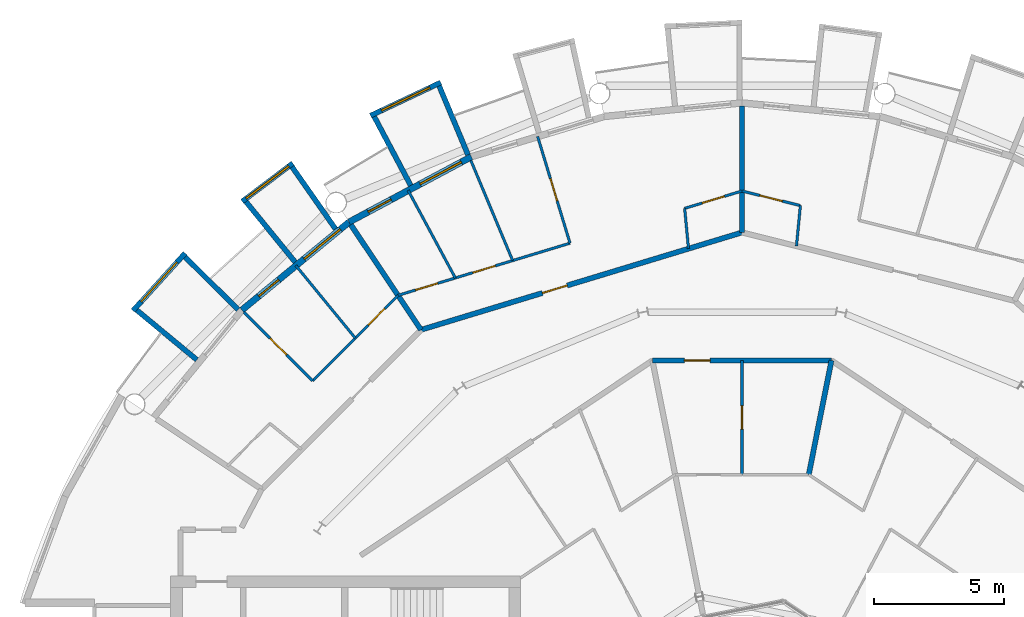
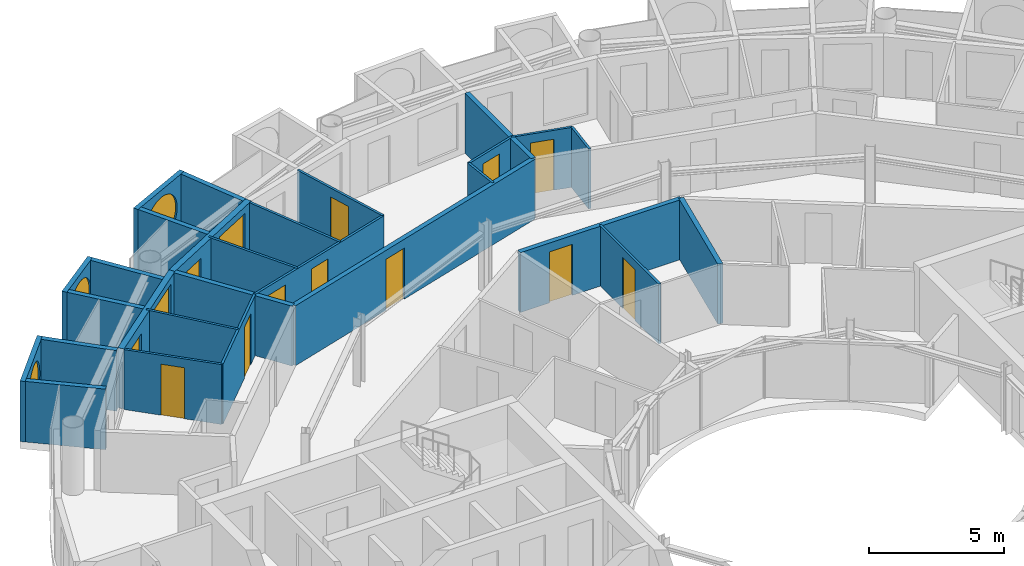
# One storey, part 21 of 27: 28 walls, 12 doors, 5 windows, 17 openings.
"""IFC4 building model written with IfcOpenShell, lengths in metres."""

from ifc_helpers import new_model, si_unit, direction, frame, frame_2d, origin, place, context, subcontext, project, spatial, rectangle, circle, extrude, material, layer, layer_set, type_object, element, fill, save


model = new_model("IFC4")

# Units and contexts
model_context = context("Model", 3, precision=1e-05, world=origin(), true_north=direction((0.0, 1.0)))
body_context = subcontext(model_context, "Body", "Model", "MODEL_VIEW")
ifc_project = project(units=[si_unit("LENGTHUNIT", "METRE"), si_unit("AREAUNIT", "SQUARE_METRE"), si_unit("VOLUMEUNIT", "CUBIC_METRE"), si_unit("PLANEANGLEUNIT", "RADIAN"), si_unit("MASSUNIT", "GRAM", prefix="KILO")], contexts=[model_context])

# Site, building, storey
site_placement = place(None, origin())
site = spatial("IfcSite", under=ifc_project, at=site_placement, CompositionType="ELEMENT")
building_placement = place(site_placement, origin())
building = spatial("IfcBuilding", under=site, at=building_placement, Name="Maasbend Ring Residences", CompositionType="ELEMENT")
storey_placement = place(building_placement, frame((0.0, 0.0, 199.35009765625)))
storey = spatial("IfcBuildingStorey", under=building, at=storey_placement, Name="L57", CompositionType="ELEMENT", Elevation=199.35009765625)

# Wall, opening, door
ifc_material_1 = material(Name="Concrete C30/37", Category="concrete")
ifc_layer_1 = layer(ifc_material_1, 0.199951171875)
ifc_layer_set_1 = layer_set([ifc_layer_1], Name="Concrete C30/37")
wall_type_1 = type_object("IfcWallType", Name="CORRIDOR WALL 200 CONCRETE", PredefinedType="PARTITIONING", material=ifc_layer_set_1)
wall_1_placement = place(storey_placement, frame((-3.452880859375, 17.360107421875, 0.0), z_axis=(0.0, 0.0, 1.0), x_axis=(1.0, 0.0, 0.0)))
wall_1 = element("IfcWall", 1, at=wall_1_placement, inside=storey, type_object=wall_type_1, Name="U-L57-w101", PredefinedType="PARTITIONING", context=body_context, shape_type="SweptSolid", body=[
    extrude(rectangle(XDim=6.90576171875, YDim=0.199951171875, at=frame_2d((3.452880859375, 0.0))), origin(), (0.0, 0.0, 1.0), 2.699951171875),
])
opening_1_placement = place(wall_1_placement, frame((1.22705078125, 0.0, 0.0)))
opening_1 = element("IfcOpeningElement", 2, at=opening_1_placement, cuts=wall_1, Name="Opening D-5724", PredefinedType="OPENING", context=body_context, shape_type="SweptSolid", body=[
    extrude(rectangle(XDim=1.0, YDim=2.300048828125, at=frame_2d((0.5, 1.14990234375))), frame((0.0, 0.10986328125, 0.0), z_axis=(0.0, -1.0, 0.0), x_axis=(1.0, 0.0, 0.0)), (0.0, 0.0, 1.0), 0.219970703125),
])
ifc_material_2 = material(Name="Timber, fire-rated, painted", Category="wood")
door_type_1 = type_object("IfcDoorType", Name="FLAT ENTRANCE DOOR 1000 X 2300 FIRE-RATED", OperationType="NOTDEFINED", PredefinedType="DOOR", material=ifc_material_2)
door_1_placement = place(opening_1_placement, origin())
door_1 = element("IfcDoor", 3, at=door_1_placement, inside=storey, type_object=door_type_1, Name="D-5724", OperationType="SINGLE_SWING_LEFT", OverallHeight=2.300048828125, OverallWidth=1.0, PredefinedType="DOOR", context=body_context, shape_type="SweptSolid", body=[
    extrude(rectangle(XDim=1.0, YDim=2.300048828125, at=frame_2d((0.5, 1.14990234375))), frame((0.0, 0.02490234375, 0.0), z_axis=(0.0, -1.0, 0.0), x_axis=(1.0, 0.0, 0.0)), (0.0, 0.0, 1.0), 0.050048828125),
])
fill(opening_1, door_1)

wall_2_placement = place(storey_placement, frame((-12.388916015625, 18.5419921875, 0.0), z_axis=(0.0, 0.0, 1.0), x_axis=(0.956942051091, 0.290279022415, 0.0)))
wall_2 = element("IfcWall", 4, at=wall_2_placement, inside=storey, type_object=wall_type_1, Name="U-L57-w102", PredefinedType="PARTITIONING", context=body_context, shape_type="SweptSolid", body=[
    extrude(rectangle(XDim=12.9462890625, YDim=0.199951171875, at=frame_2d((6.47314453125, 0.0))), origin(), (0.0, 0.0, 1.0), 2.699951171875),
])
opening_2_placement = place(wall_2_placement, frame((4.89501953125, 0.0, 0.0)))
opening_2 = element("IfcOpeningElement", 5, at=opening_2_placement, cuts=wall_2, Name="Opening D-5711", PredefinedType="OPENING", context=body_context, shape_type="SweptSolid", body=[
    extrude(rectangle(XDim=1.0, YDim=2.300048828125, at=frame_2d((0.5, 1.14990234375))), frame((0.0, 0.10986328125, 0.0), z_axis=(0.0, -1.0, 0.0), x_axis=(1.0, 0.0, 0.0)), (0.0, 0.0, 1.0), 0.219970703125),
])
door_2_placement = place(opening_2_placement, origin())
door_2 = element("IfcDoor", 6, at=door_2_placement, inside=storey, type_object=door_type_1, Name="D-5711", OperationType="SINGLE_SWING_LEFT", OverallHeight=2.300048828125, OverallWidth=1.0, PredefinedType="DOOR", context=body_context, shape_type="SweptSolid", body=[
    extrude(rectangle(XDim=1.0, YDim=2.300048828125, at=frame_2d((0.5, 1.14990234375))), frame((0.0, 0.02490234375, 0.0), z_axis=(0.0, -1.0, 0.0), x_axis=(1.0, 0.0, 0.0)), (0.0, 0.0, 1.0), 0.050048828125),
])
fill(opening_2, door_2)

# Wall, opening, window
ifc_material_3 = material(Name="Pale anodised aluminium panel", Category="aluminium")
ifc_layer_2 = layer(ifc_material_3, 0.199951171875)
ifc_layer_set_2 = layer_set([ifc_layer_2], Name="EW-BOX")
wall_type_2 = type_object("IfcWallType", Name="EW-BOX", PredefinedType="SOLIDWALL", material=ifc_layer_set_2)
wall_3_placement = place(storey_placement, frame((-11.62890625, 28.087890625, -0.030029296875), z_axis=(0.0, 0.0, 1.0), x_axis=(-0.904000060331, -0.427532327342, 0.0)))
wall_3 = element("IfcWall", 7, at=wall_3_placement, inside=storey, type_object=wall_type_2, Name="Box front N15", PredefinedType="SOLIDWALL", context=body_context, shape_type="SweptSolid", body=[
    extrude(rectangle(XDim=2.993408203125, YDim=0.199951171875, at=frame_2d((1.49658203125, 0.0))), origin(), (0.0, 0.0, 1.0), 2.72998046875),
])
opening_3_placement = place(wall_3_placement, frame((0.45654296875, 0.0, 0.330078125)))
opening_3 = element("IfcOpeningElement", 8, at=opening_3_placement, cuts=wall_3, Name="Opening W-RD", PredefinedType="OPENING", context=body_context, shape_type="SweptSolid", body=[
    extrude(circle(Radius=1.0400390625, at=frame_2d((1.0400390625, 1.0400390625))), frame((0.0, 0.10986328125, 0.0), z_axis=(0.0, -1.0, 0.0), x_axis=(1.0, 0.0, 0.0)), (0.0, 0.0, 1.0), 0.219970703125),
])
ifc_material_4 = material(Name="Aluminium and clear glass", Category="aluminium")
window_type_1 = type_object("IfcWindowType", Name="W-RD", PartitioningType="SINGLE_PANEL", PredefinedType="WINDOW", material=ifc_material_4)
window_1_placement = place(opening_3_placement, origin())
window_1 = element("IfcWindow", 9, at=window_1_placement, inside=storey, type_object=window_type_1, Name="Round window N15", OverallHeight=2.080078125, OverallWidth=2.080078125, PartitioningType="SINGLE_PANEL", PredefinedType="WINDOW", context=body_context, shape_type="SweptSolid", body=[
    extrude(circle(Radius=1.0400390625, at=frame_2d((1.0400390625, 1.0400390625))), frame((0.0, 0.030029296875, 0.0), z_axis=(0.0, -1.0, 0.0), x_axis=(1.0, 0.0, 0.0)), (0.0, 0.0, 1.0), 0.06005859375),
])
fill(opening_3, window_1)

# Walls
wall_4_placement = place(storey_placement, frame((-10.574951171875, 25.294921875, -0.030029296875), z_axis=(0.0, 0.0, 1.0), x_axis=(-0.385697364644, 0.922625353492, 0.0)))
element("IfcWall", 10, at=wall_4_placement, inside=storey, type_object=wall_type_2, Name="Box side wall N15 left", PredefinedType="SOLIDWALL", context=body_context, shape_type="SweptSolid", body=[
    extrude(rectangle(XDim=2.88330078125, YDim=0.199951171875, at=frame_2d((1.441650390625, 0.0))), origin(), (0.0, 0.0, 1.0), 2.72998046875),
])
wall_5_placement = place(storey_placement, frame((-12.787109375, 24.113037109375, -0.030029296875), z_axis=(0.0, 0.0, 1.0), x_axis=(-0.468365282436, 0.883534924159, 0.0)))
element("IfcWall", 11, at=wall_5_placement, inside=storey, type_object=wall_type_2, Name="Box side wall N15 right", PredefinedType="SOLIDWALL", context=body_context, shape_type="SweptSolid", body=[
    extrude(rectangle(XDim=3.006103515625, YDim=0.199951171875, at=frame_2d((1.5029296875, 0.0))), origin(), (0.0, 0.0, 1.0), 2.72998046875),
])

# Wall, opening, window
wall_6_placement = place(storey_placement, frame((-17.3369140625, 24.971923828125, -0.030029296875), z_axis=(0.0, 0.0, 1.0), x_axis=(-0.797887588059, -0.602806268067, 0.0)))
wall_6 = element("IfcWall", 12, at=wall_6_placement, inside=storey, type_object=wall_type_2, Name="Box front N17", PredefinedType="SOLIDWALL", context=body_context, shape_type="SweptSolid", body=[
    extrude(rectangle(XDim=2.446533203125, YDim=0.199951171875, at=frame_2d((1.22314453125, 0.0))), origin(), (0.0, 0.0, 1.0), 2.72998046875),
])
opening_4_placement = place(wall_6_placement, frame((0.182861328125, 0.0, 0.330078125)))
opening_4 = element("IfcOpeningElement", 13, at=opening_4_placement, cuts=wall_6, Name="Opening W-RD", PredefinedType="OPENING", context=body_context, shape_type="SweptSolid", body=[
    extrude(circle(Radius=1.0400390625, at=frame_2d((1.0400390625, 1.0400390625))), frame((0.0, 0.10986328125, 0.0), z_axis=(0.0, -1.0, 0.0), x_axis=(1.0, 0.0, 0.0)), (0.0, 0.0, 1.0), 0.219970703125),
])
window_2_placement = place(opening_4_placement, origin())
window_2 = element("IfcWindow", 14, at=window_2_placement, inside=storey, type_object=window_type_1, Name="Round window N17", OverallHeight=2.080078125, OverallWidth=2.080078125, PartitioningType="SINGLE_PANEL", PredefinedType="WINDOW", context=body_context, shape_type="SweptSolid", body=[
    extrude(circle(Radius=1.0400390625, at=frame_2d((1.0400390625, 1.0400390625))), frame((0.0, 0.030029296875, 0.0), z_axis=(0.0, -1.0, 0.0), x_axis=(1.0, 0.0, 0.0)), (0.0, 0.0, 1.0), 0.06005859375),
])
fill(opening_4, window_2)

# Walls
wall_7_placement = place(storey_placement, frame((-15.68798828125, 22.43310546875, -0.030029296875), z_axis=(0.0, 0.0, 1.0), x_axis=(-0.573260687834, 0.819373043115, 0.0)))
element("IfcWall", 15, at=wall_7_placement, inside=storey, type_object=wall_type_2, Name="Box side wall N17 left", PredefinedType="SOLIDWALL", context=body_context, shape_type="SweptSolid", body=[
    extrude(rectangle(XDim=2.92529296875, YDim=0.199951171875, at=frame_2d((1.462646484375, 0.0))), origin(), (0.0, 0.0, 1.0), 2.72998046875),
])
wall_8_placement = place(storey_placement, frame((-17.24609375, 21.155029296875, -0.030029296875), z_axis=(0.0, 0.0, 1.0), x_axis=(-0.631741648902, 0.775179004516, 0.0)))
element("IfcWall", 16, at=wall_8_placement, inside=storey, type_object=wall_type_2, Name="Box side wall N17 right", PredefinedType="SOLIDWALL", context=body_context, shape_type="SweptSolid", body=[
    extrude(rectangle(XDim=3.005859375, YDim=0.199951171875, at=frame_2d((1.5029296875, 0.0))), origin(), (0.0, 0.0, 1.0), 2.72998046875),
])

# Wall, opening, window
wall_9_placement = place(storey_placement, frame((-21.492919921875, 21.5, -0.030029296875), z_axis=(0.0, 0.0, 1.0), x_axis=(-0.671506829416, -0.740998365753, 0.0)))
wall_9 = element("IfcWall", 17, at=wall_9_placement, inside=storey, type_object=wall_type_2, Name="Box front N19", PredefinedType="SOLIDWALL", context=body_context, shape_type="SweptSolid", body=[
    extrude(rectangle(XDim=2.9931640625, YDim=0.199951171875, at=frame_2d((1.49658203125, 0.0))), origin(), (0.0, 0.0, 1.0), 2.72998046875),
])
opening_5_placement = place(wall_9_placement, frame((0.45654296875, 0.0, 0.330078125)))
opening_5 = element("IfcOpeningElement", 18, at=opening_5_placement, cuts=wall_9, Name="Opening W-RD", PredefinedType="OPENING", context=body_context, shape_type="SweptSolid", body=[
    extrude(circle(Radius=1.0400390625, at=frame_2d((1.0400390625, 1.0400390625))), frame((0.0, 0.10986328125, 0.0), z_axis=(0.0, -1.0, 0.0), x_axis=(1.0, 0.0, 0.0)), (0.0, 0.0, 1.0), 0.219970703125),
])
window_3_placement = place(opening_5_placement, origin())
window_3 = element("IfcWindow", 19, at=window_3_placement, inside=storey, type_object=window_type_1, Name="Round window N19", OverallHeight=2.080078125, OverallWidth=2.080078125, PartitioningType="SINGLE_PANEL", PredefinedType="WINDOW", context=body_context, shape_type="SweptSolid", body=[
    extrude(circle(Radius=1.0400390625, at=frame_2d((1.0400390625, 1.0400390625))), frame((0.0, 0.030029296875, 0.0), z_axis=(0.0, -1.0, 0.0), x_axis=(1.0, 0.0, 0.0)), (0.0, 0.0, 1.0), 0.06005859375),
])
fill(opening_5, window_3)

# Walls
wall_10_placement = place(storey_placement, frame((-19.449951171875, 19.322998046875, -0.030029296875), z_axis=(0.0, 0.0, 1.0), x_axis=(-0.709727076896, 0.704476739375, 0.0)))
element("IfcWall", 20, at=wall_10_placement, inside=storey, type_object=wall_type_2, Name="Box side wall N19 left", PredefinedType="SOLIDWALL", context=body_context, shape_type="SweptSolid", body=[
    extrude(rectangle(XDim=2.883056640625, YDim=0.199951171875, at=frame_2d((1.44140625, 0.0))), origin(), (0.0, 0.0, 1.0), 2.72998046875),
])
wall_11_placement = place(storey_placement, frame((-21.041015625, 17.384033203125, -0.030029296875), z_axis=(0.0, 0.0, 1.0), x_axis=(-0.770784861449, 0.63709551667, 0.0)))
element("IfcWall", 21, at=wall_11_placement, inside=storey, type_object=wall_type_2, Name="Box side wall N19 right", PredefinedType="SOLIDWALL", context=body_context, shape_type="SweptSolid", body=[
    extrude(rectangle(XDim=3.005859375, YDim=0.199951171875, at=frame_2d((1.5029296875, 0.0))), origin(), (0.0, 0.0, 1.0), 2.72998046875),
])

# Wall, openings, door, window
ifc_material_5 = material(Name="Aluminium clad insulated panel", Category="aluminium")
ifc_layer_3 = layer(ifc_material_5, 0.25)
ifc_layer_set_3 = layer_set([ifc_layer_3], Name="EW-GL")
wall_type_3 = type_object("IfcWallType", Name="EW-GL", PredefinedType="SOLIDWALL", material=ifc_layer_set_3)
wall_12_placement = place(storey_placement, frame((-10.447021484375, 25.221923828125, 0.0), z_axis=(0.0, 0.0, 1.0), x_axis=(-0.881915646801, -0.471407246368, 0.0)))
wall_12 = element("IfcWall", 22, at=wall_12_placement, inside=storey, type_object=wall_type_3, Name="External wall N08", PredefinedType="SOLIDWALL", context=body_context, shape_type="SweptSolid", body=[
    extrude(rectangle(XDim=5.35205078125, YDim=0.25, at=frame_2d((2.676025390625, 0.0))), origin(), (0.0, 0.0, 1.0), 2.699951171875),
])
opening_6_placement = place(wall_12_placement, frame((0.441162109375, 0.0, 0.300048828125)))
opening_6 = element("IfcOpeningElement", 23, at=opening_6_placement, cuts=wall_12, Name="Opening W-BX", PredefinedType="OPENING", context=body_context, shape_type="SweptSolid", body=[
    extrude(rectangle(XDim=1.800048828125, YDim=2.10009765625, at=frame_2d((0.89990234375, 1.050048828125))), frame((0.0, 0.135009765625, 0.0), z_axis=(0.0, -1.0, 0.0), x_axis=(1.0, 0.0, 0.0)), (0.0, 0.0, 1.0), 0.27001953125),
])
opening_7_placement = place(wall_12_placement, frame((3.510498046875, 0.0, 0.0)))
opening_7 = element("IfcOpeningElement", 24, at=opening_7_placement, cuts=wall_12, Name="Opening D-LG", PredefinedType="OPENING", context=body_context, shape_type="SweptSolid", body=[
    extrude(rectangle(XDim=1.0, YDim=2.199951171875, at=frame_2d((0.5, 1.10009765625))), frame((0.0, 0.135009765625, 0.0), z_axis=(0.0, -1.0, 0.0), x_axis=(1.0, 0.0, 0.0)), (0.0, 0.0, 1.0), 0.27001953125),
])
ifc_material_6 = material(Name="Aluminium and clear glass", Category="aluminium")
door_type_2 = type_object("IfcDoorType", Name="D-LG", OperationType="SINGLE_SWING_LEFT", PredefinedType="DOOR", material=ifc_material_6)
door_3_placement = place(opening_7_placement, origin())
door_3 = element("IfcDoor", 25, at=door_3_placement, inside=storey, type_object=door_type_2, Name="Loggia door N16", OperationType="SINGLE_SWING_LEFT", OverallHeight=2.199951171875, OverallWidth=1.0, PredefinedType="DOOR", context=body_context, shape_type="SweptSolid", body=[
    extrude(rectangle(XDim=1.0, YDim=2.199951171875, at=frame_2d((0.5, 1.10009765625))), frame((0.0, 0.02490234375, 0.0), z_axis=(0.0, -1.0, 0.0), x_axis=(1.0, 0.0, 0.0)), (0.0, 0.0, 1.0), 0.050048828125),
])
fill(opening_7, door_3)
ifc_material_7 = material(Name="Aluminium and clear glass", Category="aluminium")
window_type_2 = type_object("IfcWindowType", Name="W-BX", PartitioningType="DOUBLE_PANEL_VERTICAL", PredefinedType="WINDOW", material=ifc_material_7)
window_4_placement = place(opening_6_placement, origin())
window_4 = element("IfcWindow", 26, at=window_4_placement, inside=storey, type_object=window_type_2, Name="Window N15 room to box", OverallHeight=2.10009765625, OverallWidth=1.800048828125, PartitioningType="SINGLE_PANEL", PredefinedType="WINDOW", context=body_context, shape_type="SweptSolid", body=[
    extrude(rectangle(XDim=1.800048828125, YDim=2.10009765625, at=frame_2d((0.89990234375, 1.050048828125))), frame((0.0, 0.030029296875, 0.0), z_axis=(0.0, -1.0, 0.0), x_axis=(1.0, 0.0, 0.0)), (0.0, 0.0, 1.0), 0.06005859375),
])
fill(opening_6, window_4)

wall_13_placement = place(storey_placement, frame((-15.1669921875, 22.698974609375, 0.0), z_axis=(0.0, 0.0, 1.0), x_axis=(-0.773019449054, -0.634382322723, 0.0)))
wall_13 = element("IfcWall", 27, at=wall_13_placement, inside=storey, type_object=wall_type_3, Name="External wall N09", PredefinedType="SOLIDWALL", context=body_context, shape_type="SweptSolid", body=[
    extrude(rectangle(XDim=5.351806640625, YDim=0.25, at=frame_2d((2.67578125, 0.0))), origin(), (0.0, 0.0, 1.0), 2.699951171875),
])
opening_8_placement = place(wall_13_placement, frame((0.441162109375, 0.0, 0.300048828125)))
opening_8 = element("IfcOpeningElement", 28, at=opening_8_placement, cuts=wall_13, Name="Opening W-BX", PredefinedType="OPENING", context=body_context, shape_type="SweptSolid", body=[
    extrude(rectangle(XDim=1.800048828125, YDim=2.10009765625, at=frame_2d((0.89990234375, 1.050048828125))), frame((0.0, 0.135009765625, 0.0), z_axis=(0.0, -1.0, 0.0), x_axis=(1.0, 0.0, 0.0)), (0.0, 0.0, 1.0), 0.27001953125),
])
opening_9_placement = place(wall_13_placement, frame((3.510498046875, 0.0, 0.0)))
opening_9 = element("IfcOpeningElement", 29, at=opening_9_placement, cuts=wall_13, Name="Opening D-LG", PredefinedType="OPENING", context=body_context, shape_type="SweptSolid", body=[
    extrude(rectangle(XDim=1.0, YDim=2.199951171875, at=frame_2d((0.5, 1.10009765625))), frame((0.0, 0.135009765625, 0.0), z_axis=(0.0, -1.0, 0.0), x_axis=(1.0, 0.0, 0.0)), (0.0, 0.0, 1.0), 0.27001953125),
])
door_4_placement = place(opening_9_placement, origin())
door_4 = element("IfcDoor", 30, at=door_4_placement, inside=storey, type_object=door_type_2, Name="Loggia door N18", OperationType="SINGLE_SWING_LEFT", OverallHeight=2.199951171875, OverallWidth=1.0, PredefinedType="DOOR", context=body_context, shape_type="SweptSolid", body=[
    extrude(rectangle(XDim=1.0, YDim=2.199951171875, at=frame_2d((0.5, 1.10009765625))), frame((0.0, 0.02490234375, 0.0), z_axis=(0.0, -1.0, 0.0), x_axis=(1.0, 0.0, 0.0)), (0.0, 0.0, 1.0), 0.050048828125),
])
fill(opening_9, door_4)
window_5_placement = place(opening_8_placement, origin())
window_5 = element("IfcWindow", 31, at=window_5_placement, inside=storey, type_object=window_type_2, Name="Window N17 room to box", OverallHeight=2.10009765625, OverallWidth=1.800048828125, PartitioningType="SINGLE_PANEL", PredefinedType="WINDOW", context=body_context, shape_type="SweptSolid", body=[
    extrude(rectangle(XDim=1.800048828125, YDim=2.10009765625, at=frame_2d((0.89990234375, 1.050048828125))), frame((0.0, 0.030029296875, 0.0), z_axis=(0.0, -1.0, 0.0), x_axis=(1.0, 0.0, 0.0)), (0.0, 0.0, 1.0), 0.06005859375),
])
fill(opening_8, window_5)

# Wall, opening, door
ifc_material_8 = material(Name="Gypsum board on steel studs", Category="steel")
ifc_layer_4 = layer(ifc_material_8, 0.10009765625)
ifc_layer_set_4 = layer_set([ifc_layer_4], Name="PARTITION 100 GYPSUM")
wall_type_4 = type_object("IfcWallType", Name="PARTITION 100 GYPSUM", PredefinedType="PARTITIONING", material=ifc_layer_set_4)
wall_14_placement = place(storey_placement, frame((-19.216064453125, 19.216064453125, 0.0), z_axis=(0.0, 0.0, 1.0), x_axis=(0.707106781187, -0.707106781187, 0.0)))
wall_14 = element("IfcWall", 32, at=wall_14_placement, inside=storey, type_object=wall_type_4, Name="U-L57-w037", PredefinedType="PARTITIONING", context=body_context, shape_type="SweptSolid", body=[
    extrude(rectangle(XDim=3.735107421875, YDim=0.10009765625, at=frame_2d((1.86767578125, 0.0))), origin(), (0.0, 0.0, 1.0), 2.699951171875),
])
opening_10_placement = place(wall_14_placement, frame((1.4169921875, 0.0, 0.0)))
opening_10 = element("IfcOpeningElement", 33, at=opening_10_placement, cuts=wall_14, Name="Opening D-5718", PredefinedType="OPENING", context=body_context, shape_type="SweptSolid", body=[
    extrude(rectangle(XDim=0.89990234375, YDim=2.300048828125, at=frame_2d((0.449951171875, 1.14990234375))), frame((0.0, 0.06005859375, 0.0), z_axis=(0.0, -1.0, 0.0), x_axis=(1.0, 0.0, 0.0)), (0.0, 0.0, 1.0), 0.1201171875),
])
ifc_material_9 = material(Name="Timber, painted", Category="wood")
door_type_3 = type_object("IfcDoorType", Name="INTERNAL DOOR 900 X 2300", OperationType="NOTDEFINED", PredefinedType="DOOR", material=ifc_material_9)
door_5_placement = place(opening_10_placement, origin())
door_5 = element("IfcDoor", 34, at=door_5_placement, inside=storey, type_object=door_type_3, Name="D-5718", OperationType="SINGLE_SWING_LEFT", OverallHeight=2.300048828125, OverallWidth=0.89990234375, PredefinedType="DOOR", context=body_context, shape_type="SweptSolid", body=[
    extrude(rectangle(XDim=0.89990234375, YDim=2.300048828125, at=frame_2d((0.449951171875, 1.14990234375))), frame((0.0, 0.02490234375, 0.0), z_axis=(0.0, -1.0, 0.0), x_axis=(1.0, 0.0, 0.0)), (0.0, 0.0, 1.0), 0.050048828125),
])
fill(opening_10, door_5)

# Walls
wall_15_placement = place(storey_placement, frame((-17.219970703125, 21.02294921875, 0.0), z_axis=(0.0, 0.0, 1.0), x_axis=(0.633737383709, -0.773548271597, 0.0)))
element("IfcWall", 35, at=wall_15_placement, inside=storey, type_object=wall_type_4, Name="U-L57-w038", PredefinedType="PARTITIONING", context=body_context, shape_type="SweptSolid", body=[
    extrude(rectangle(XDim=3.6181640625, YDim=0.10009765625, at=frame_2d((1.80908203125, 0.0))), origin(), (0.0, 0.0, 1.0), 2.699951171875),
])
wall_16_placement = place(storey_placement, frame((-12.886962890625, 23.925048828125, 0.0), z_axis=(0.0, 0.0, 1.0), x_axis=(0.474281720599, -0.88037313084, 0.0)))
element("IfcWall", 36, at=wall_16_placement, inside=storey, type_object=wall_type_4, Name="U-L57-w042", PredefinedType="PARTITIONING", context=body_context, shape_type="SweptSolid", body=[
    extrude(rectangle(XDim=3.841552734375, YDim=0.10009765625, at=frame_2d((1.9208984375, 0.0))), origin(), (0.0, 0.0, 1.0), 2.699951171875),
])
wall_17_placement = place(storey_placement, frame((-10.465087890625, 25.0791015625, 0.0), z_axis=(0.0, 0.0, 1.0), x_axis=(0.385232176411, -0.922819684585, 0.0)))
element("IfcWall", 37, at=wall_17_placement, inside=storey, type_object=wall_type_4, Name="U-L57-w045", PredefinedType="PARTITIONING", context=body_context, shape_type="SweptSolid", body=[
    extrude(rectangle(XDim=4.187255859375, YDim=0.10009765625, at=frame_2d((2.09375, 0.0))), origin(), (0.0, 0.0, 1.0), 2.699951171875),
])

# Wall, opening, door
wall_18_placement = place(storey_placement, frame((-7.887939453125, 26.0048828125, 0.0), z_axis=(0.0, 0.0, 1.0), x_axis=(0.290193157742, -0.956968093094, 0.0)))
wall_18 = element("IfcWall", 38, at=wall_18_placement, inside=storey, type_object=wall_type_4, Name="U-L57-w050", PredefinedType="PARTITIONING", context=body_context, shape_type="SweptSolid", body=[
    extrude(rectangle(XDim=4.30419921875, YDim=0.10009765625, at=frame_2d((2.152099609375, 0.0))), origin(), (0.0, 0.0, 1.0), 2.699951171875),
])
opening_11_placement = place(wall_18_placement, frame((1.701904296875, 0.0, 0.0)))
opening_11 = element("IfcOpeningElement", 39, at=opening_11_placement, cuts=wall_18, Name="Opening D-5713", PredefinedType="OPENING", context=body_context, shape_type="SweptSolid", body=[
    extrude(rectangle(XDim=0.89990234375, YDim=2.300048828125, at=frame_2d((0.449951171875, 1.14990234375))), frame((0.0, 0.06005859375, 0.0), z_axis=(0.0, -1.0, 0.0), x_axis=(1.0, 0.0, 0.0)), (0.0, 0.0, 1.0), 0.1201171875),
])
door_6_placement = place(opening_11_placement, origin())
door_6 = element("IfcDoor", 40, at=door_6_placement, inside=storey, type_object=door_type_3, Name="D-5713", OperationType="SINGLE_SWING_LEFT", OverallHeight=2.300048828125, OverallWidth=0.89990234375, PredefinedType="DOOR", context=body_context, shape_type="SweptSolid", body=[
    extrude(rectangle(XDim=0.89990234375, YDim=2.300048828125, at=frame_2d((0.449951171875, 1.14990234375))), frame((0.0, 0.02490234375, 0.0), z_axis=(0.0, -1.0, 0.0), x_axis=(1.0, 0.0, 0.0)), (0.0, 0.0, 1.0), 0.050048828125),
])
fill(opening_11, door_6)

# Wall
wall_19_placement = place(storey_placement, frame((-2.212890625, 23.22900390625, 0.0), z_axis=(0.0, 0.0, 1.0), x_axis=(0.094720578196, -0.995503898569, 0.0)))
element("IfcWall", 41, at=wall_19_placement, inside=storey, type_object=wall_type_4, Name="U-L57-w056", PredefinedType="PARTITIONING", context=body_context, shape_type="SweptSolid", body=[
    extrude(rectangle(XDim=1.56201171875, YDim=0.10009765625, at=frame_2d((0.781005859375, 0.0))), origin(), (0.0, 0.0, 1.0), 2.699951171875),
])

# Wall, opening, door
wall_20_placement = place(storey_placement, frame((0.0, 12.955078125, 0.0), z_axis=(0.0, 0.0, 1.0), x_axis=(0.0, 1.0, 0.0)))
wall_20 = element("IfcWall", 42, at=wall_20_placement, inside=storey, type_object=wall_type_4, Name="U-L57-w060", PredefinedType="PARTITIONING", context=body_context, shape_type="SweptSolid", body=[
    extrude(rectangle(XDim=4.405029296875, YDim=0.10009765625, at=frame_2d((2.20263671875, 0.0))), origin(), (0.0, 0.0, 1.0), 2.699951171875),
])
opening_12_placement = place(wall_20_placement, frame((1.751953125, 0.0, 0.0)))
opening_12 = element("IfcOpeningElement", 43, at=opening_12_placement, cuts=wall_20, Name="Opening D-5725", PredefinedType="OPENING", context=body_context, shape_type="SweptSolid", body=[
    extrude(rectangle(XDim=0.89990234375, YDim=2.300048828125, at=frame_2d((0.449951171875, 1.14990234375))), frame((0.0, 0.06005859375, 0.0), z_axis=(0.0, -1.0, 0.0), x_axis=(1.0, 0.0, 0.0)), (0.0, 0.0, 1.0), 0.1201171875),
])
door_7_placement = place(opening_12_placement, origin())
door_7 = element("IfcDoor", 44, at=door_7_placement, inside=storey, type_object=door_type_3, Name="D-5725", OperationType="SINGLE_SWING_LEFT", OverallHeight=2.300048828125, OverallWidth=0.89990234375, PredefinedType="DOOR", context=body_context, shape_type="SweptSolid", body=[
    extrude(rectangle(XDim=0.89990234375, YDim=2.300048828125, at=frame_2d((0.449951171875, 1.14990234375))), frame((0.0, 0.02490234375, 0.0), z_axis=(0.0, -1.0, 0.0), x_axis=(1.0, 0.0, 0.0)), (0.0, 0.0, 1.0), 0.050048828125),
])
fill(opening_12, door_7)

# Wall
wall_21_placement = place(storey_placement, frame((2.10205078125, 21.77294921875, 0.0), z_axis=(0.0, 0.0, 1.0), x_axis=(0.09608568494, 0.995373066317, 0.0)))
element("IfcWall", 45, at=wall_21_placement, inside=storey, type_object=wall_type_4, Name="U-L57-w063", PredefinedType="PARTITIONING", context=body_context, shape_type="SweptSolid", body=[
    extrude(rectangle(XDim=1.5703125, YDim=0.10009765625, at=frame_2d((0.78515625, 0.0))), origin(), (0.0, 0.0, 1.0), 2.699951171875),
])

# Wall, openings, doors
wall_22_placement = place(storey_placement, frame((-13.281005859375, 19.87109375, 0.0), z_axis=(0.0, 0.0, 1.0), x_axis=(0.956938868877, 0.290289512785, 0.0)))
wall_22 = element("IfcWall", 46, at=wall_22_placement, inside=storey, type_object=wall_type_4, Name="U-L57-w110", PredefinedType="PARTITIONING", context=body_context, shape_type="SweptSolid", body=[
    extrude(rectangle(XDim=6.94091796875, YDim=0.10009765625, at=frame_2d((3.470458984375, 0.0))), origin(), (0.0, 0.0, 1.0), 2.699951171875),
])
opening_13_placement = place(wall_22_placement, frame((3.02490234375, 0.0, 0.0)))
opening_13 = element("IfcOpeningElement", 47, at=opening_13_placement, cuts=wall_22, Name="Opening D-5714", PredefinedType="OPENING", context=body_context, shape_type="SweptSolid", body=[
    extrude(rectangle(XDim=0.89990234375, YDim=2.300048828125, at=frame_2d((0.449951171875, 1.14990234375))), frame((0.0, 0.06005859375, 0.0), z_axis=(0.0, -1.0, 0.0), x_axis=(1.0, 0.0, 0.0)), (0.0, 0.0, 1.0), 0.1201171875),
])
opening_14_placement = place(wall_22_placement, frame((0.7080078125, 0.0, 0.0)))
opening_14 = element("IfcOpeningElement", 48, at=opening_14_placement, cuts=wall_22, Name="Opening D-5715", PredefinedType="OPENING", context=body_context, shape_type="SweptSolid", body=[
    extrude(rectangle(XDim=0.89990234375, YDim=2.300048828125, at=frame_2d((0.449951171875, 1.14990234375))), frame((0.0, 0.06005859375, 0.0), z_axis=(0.0, -1.0, 0.0), x_axis=(1.0, 0.0, 0.0)), (0.0, 0.0, 1.0), 0.1201171875),
])
door_8_placement = place(opening_13_placement, origin())
door_8 = element("IfcDoor", 49, at=door_8_placement, inside=storey, type_object=door_type_3, Name="D-5714", OperationType="SINGLE_SWING_RIGHT", OverallHeight=2.300048828125, OverallWidth=0.89990234375, PredefinedType="DOOR", context=body_context, shape_type="SweptSolid", body=[
    extrude(rectangle(XDim=0.89990234375, YDim=2.300048828125, at=frame_2d((0.449951171875, 1.14990234375))), frame((0.0, 0.02490234375, 0.0), z_axis=(0.0, -1.0, 0.0), x_axis=(1.0, 0.0, 0.0)), (0.0, 0.0, 1.0), 0.050048828125),
])
fill(opening_13, door_8)
door_9_placement = place(opening_14_placement, origin())
door_9 = element("IfcDoor", 50, at=door_9_placement, inside=storey, type_object=door_type_3, Name="D-5715", OperationType="SINGLE_SWING_LEFT", OverallHeight=2.300048828125, OverallWidth=0.89990234375, PredefinedType="DOOR", context=body_context, shape_type="SweptSolid", body=[
    extrude(rectangle(XDim=0.89990234375, YDim=2.300048828125, at=frame_2d((0.449951171875, 1.14990234375))), frame((0.0, 0.02490234375, 0.0), z_axis=(0.0, -1.0, 0.0), x_axis=(1.0, 0.0, 0.0)), (0.0, 0.0, 1.0), 0.050048828125),
])
fill(opening_14, door_9)

# Wall, opening, door
wall_23_placement = place(storey_placement, frame((-2.216064453125, 23.22802734375, 0.0), z_axis=(0.0, 0.0, 1.0), x_axis=(0.956912517924, 0.290376364464, 0.0)))
wall_23 = element("IfcWall", 51, at=wall_23_placement, inside=storey, type_object=wall_type_4, Name="U-L57-w111", PredefinedType="PARTITIONING", context=body_context, shape_type="SweptSolid", body=[
    extrude(rectangle(XDim=2.313720703125, YDim=0.10009765625, at=frame_2d((1.15673828125, 0.0))), origin(), (0.0, 0.0, 1.0), 2.699951171875),
])
opening_15_placement = place(wall_23_placement, frame((0.7099609375, 0.0, 0.0)))
opening_15 = element("IfcOpeningElement", 52, at=opening_15_placement, cuts=wall_23, Name="Opening D-5712", PredefinedType="OPENING", context=body_context, shape_type="SweptSolid", body=[
    extrude(rectangle(XDim=0.89990234375, YDim=2.300048828125, at=frame_2d((0.449951171875, 1.14990234375))), frame((0.0, 0.06005859375, 0.0), z_axis=(0.0, -1.0, 0.0), x_axis=(1.0, 0.0, 0.0)), (0.0, 0.0, 1.0), 0.1201171875),
])
door_10_placement = place(opening_15_placement, origin())
door_10 = element("IfcDoor", 53, at=door_10_placement, inside=storey, type_object=door_type_3, Name="D-5712", OperationType="SINGLE_SWING_RIGHT", OverallHeight=2.300048828125, OverallWidth=0.89990234375, PredefinedType="DOOR", context=body_context, shape_type="SweptSolid", body=[
    extrude(rectangle(XDim=0.89990234375, YDim=2.300048828125, at=frame_2d((0.449951171875, 1.14990234375))), frame((0.0, 0.02490234375, 0.0), z_axis=(0.0, -1.0, 0.0), x_axis=(1.0, 0.0, 0.0)), (0.0, 0.0, 1.0), 0.050048828125),
])
fill(opening_15, door_10)

wall_24_placement = place(storey_placement, frame((0.0029296875, 23.89892578125, 0.0), z_axis=(0.0, 0.0, 1.0), x_axis=(0.970074448647, -0.242807668911, 0.0)))
wall_24 = element("IfcWall", 54, at=wall_24_placement, inside=storey, type_object=wall_type_4, Name="U-L57-w112", PredefinedType="PARTITIONING", context=body_context, shape_type="SweptSolid", body=[
    extrude(rectangle(XDim=2.32275390625, YDim=0.10009765625, at=frame_2d((1.161376953125, 0.0))), origin(), (0.0, 0.0, 1.0), 2.699951171875),
])
opening_16_placement = place(wall_24_placement, frame((0.7080078125, 0.0, 0.0)))
opening_16 = element("IfcOpeningElement", 55, at=opening_16_placement, cuts=wall_24, Name="Opening D-5707", PredefinedType="OPENING", context=body_context, shape_type="SweptSolid", body=[
    extrude(rectangle(XDim=0.89990234375, YDim=2.300048828125, at=frame_2d((0.449951171875, 1.14990234375))), frame((0.0, 0.06005859375, 0.0), z_axis=(0.0, -1.0, 0.0), x_axis=(1.0, 0.0, 0.0)), (0.0, 0.0, 1.0), 0.1201171875),
])
door_11_placement = place(opening_16_placement, origin())
door_11 = element("IfcDoor", 56, at=door_11_placement, inside=storey, type_object=door_type_3, Name="D-5707", OperationType="SINGLE_SWING_LEFT", OverallHeight=2.300048828125, OverallWidth=0.89990234375, PredefinedType="DOOR", context=body_context, shape_type="SweptSolid", body=[
    extrude(rectangle(XDim=0.89990234375, YDim=2.300048828125, at=frame_2d((0.449951171875, 1.14990234375))), frame((0.0, 0.02490234375, 0.0), z_axis=(0.0, -1.0, 0.0), x_axis=(1.0, 0.0, 0.0)), (0.0, 0.0, 1.0), 0.050048828125),
])
fill(opening_16, door_11)

wall_25_placement = place(storey_placement, frame((-16.574951171875, 16.574951171875, 0.0), z_axis=(0.0, 0.0, 1.0), x_axis=(0.707080600289, 0.707132961115, 0.0)))
wall_25 = element("IfcWall", 57, at=wall_25_placement, inside=storey, type_object=wall_type_4, Name="U-L57-w117", PredefinedType="PARTITIONING", context=body_context, shape_type="SweptSolid", body=[
    extrude(rectangle(XDim=4.66259765625, YDim=0.10009765625, at=frame_2d((2.331298828125, 0.0))), origin(), (0.0, 0.0, 1.0), 2.699951171875),
])
opening_17_placement = place(wall_25_placement, frame((3.04296875, 0.0, 0.0)))
opening_17 = element("IfcOpeningElement", 58, at=opening_17_placement, cuts=wall_25, Name="Opening D-5719", PredefinedType="OPENING", context=body_context, shape_type="SweptSolid", body=[
    extrude(rectangle(XDim=0.89990234375, YDim=2.300048828125, at=frame_2d((0.449951171875, 1.14990234375))), frame((0.0, 0.06005859375, 0.0), z_axis=(0.0, -1.0, 0.0), x_axis=(1.0, 0.0, 0.0)), (0.0, 0.0, 1.0), 0.1201171875),
])
door_12_placement = place(opening_17_placement, origin())
door_12 = element("IfcDoor", 59, at=door_12_placement, inside=storey, type_object=door_type_3, Name="D-5719", OperationType="SINGLE_SWING_RIGHT", OverallHeight=2.300048828125, OverallWidth=0.89990234375, PredefinedType="DOOR", context=body_context, shape_type="SweptSolid", body=[
    extrude(rectangle(XDim=0.89990234375, YDim=2.300048828125, at=frame_2d((0.449951171875, 1.14990234375))), frame((0.0, 0.02490234375, 0.0), z_axis=(0.0, -1.0, 0.0), x_axis=(1.0, 0.0, 0.0)), (0.0, 0.0, 1.0), 0.050048828125),
])
fill(opening_17, door_12)

# Walls
ifc_material_10 = material(Name="Concrete C30/37", Category="concrete")
ifc_layer_5 = layer(ifc_material_10, 0.199951171875)
ifc_layer_set_5 = layer_set([ifc_layer_5], Name="Concrete C30/37")
wall_type_5 = type_object("IfcWallType", Name="PARTY WALL 200 CONCRETE", PredefinedType="PARTITIONING", material=ifc_layer_set_5)
wall_26_placement = place(storey_placement, frame((-15.096923828125, 22.595947265625, 0.0), z_axis=(0.0, 0.0, 1.0), x_axis=(0.555462686211, -0.831541462723, 0.0)))
element("IfcWall", 60, at=wall_26_placement, inside=storey, type_object=wall_type_5, Name="U-L57-w039", PredefinedType="PARTITIONING", context=body_context, shape_type="SweptSolid", body=[
    extrude(rectangle(XDim=4.875244140625, YDim=0.199951171875, at=frame_2d((2.4375, 0.0))), origin(), (0.0, 0.0, 1.0), 2.699951171875),
])
wall_27_placement = place(storey_placement, frame((0.0, 22.300048828125, 0.0), z_axis=(0.0, 0.0, 1.0), x_axis=(0.0, 1.0, 0.0)))
element("IfcWall", 61, at=wall_27_placement, inside=storey, type_object=wall_type_5, Name="U-L57-w061", PredefinedType="PARTITIONING", context=body_context, shape_type="SweptSolid", body=[
    extrude(rectangle(XDim=4.875, YDim=0.199951171875, at=frame_2d((2.4375, 0.0))), origin(), (0.0, 0.0, 1.0), 2.699951171875),
])
wall_28_placement = place(storey_placement, frame((2.576904296875, 12.955078125, 0.0), z_axis=(0.0, 0.0, 1.0), x_axis=(0.195039294963, 0.980795428935, 0.0)))
element("IfcWall", 62, at=wall_28_placement, inside=storey, type_object=wall_type_5, Name="U-L57-w065", PredefinedType="PARTITIONING", context=body_context, shape_type="SweptSolid", body=[
    extrude(rectangle(XDim=4.4912109375, YDim=0.199951171875, at=frame_2d((2.24560546875, 0.0))), origin(), (0.0, 0.0, 1.0), 2.699951171875),
])

save(model, "model.ifc")
